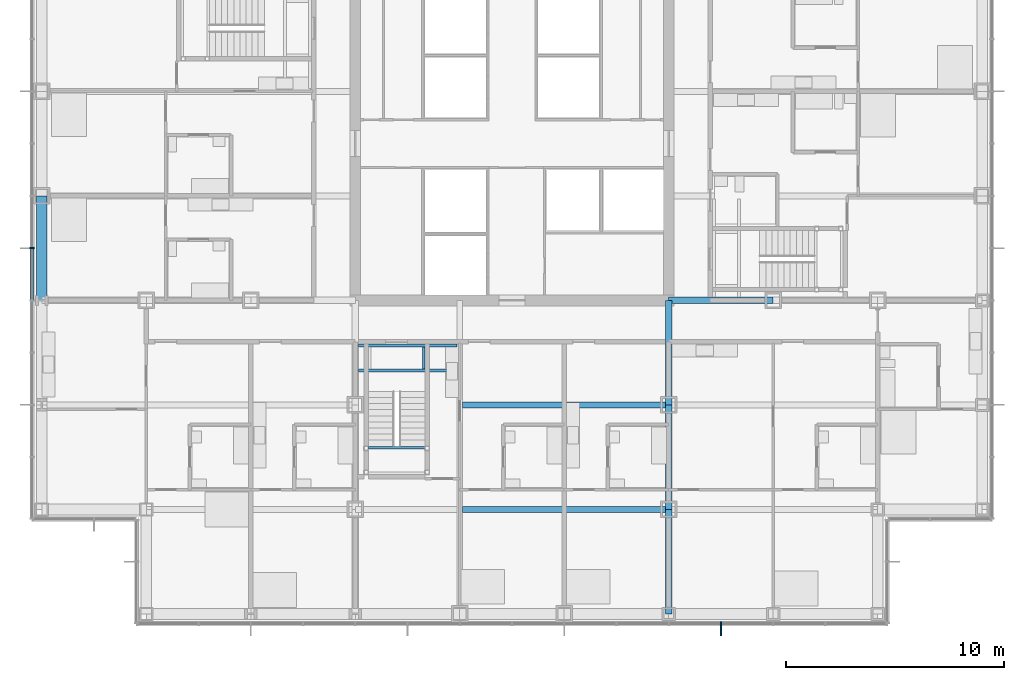
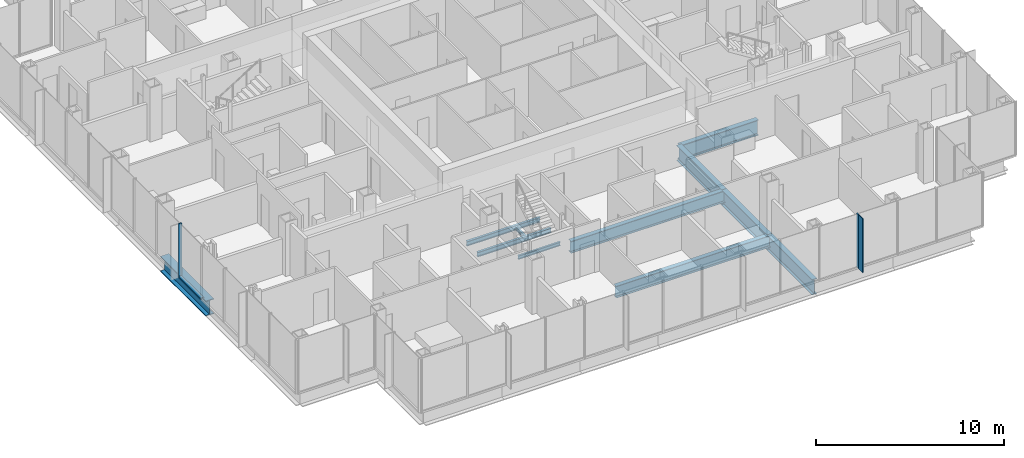
# One storey, part 7 of 21: 11 beams, 4 members, 2 elements without a shape of their own.
"""IFC4 building model written with IfcOpenShell, lengths in metres."""

from ifc_helpers import new_model, si_unit, direction, frame, origin, origin_2d, place, context, subcontext, project, spatial, rectangle, i_section, extrude, material, material_profile, profile_set, type_object, element, aggregate, save


model = new_model("IFC4")

# Units and contexts
model_context = context("Model", 3, precision=1e-05, world=origin(), true_north=direction((0.0, 1.0)))
body_context = subcontext(model_context, "Body", "Model", "MODEL_VIEW")
ifc_project = project(units=[si_unit("LENGTHUNIT", "METRE"), si_unit("AREAUNIT", "SQUARE_METRE"), si_unit("VOLUMEUNIT", "CUBIC_METRE"), si_unit("PLANEANGLEUNIT", "RADIAN"), si_unit("MASSUNIT", "GRAM", prefix="KILO")], contexts=[model_context])

# Site, building, storey
site_placement = place(None, origin())
site = spatial("IfcSite", under=ifc_project, at=site_placement, CompositionType="ELEMENT")
building_placement = place(site_placement, origin())
building = spatial("IfcBuilding", under=site, at=building_placement, Name="Kvirike Care Tower", CompositionType="ELEMENT")
storey_placement = place(building_placement, frame((0.0, 0.0, 34.0)))
storey = spatial("IfcBuildingStorey", under=building, at=storey_placement, Name="L08", CompositionType="ELEMENT", Elevation=34.0)

# Curtain wall, member
ifc_material_1 = material(Name="Anodised aluminium stick system", Category="aluminium")
curtain_wall_type = type_object("IfcCurtainWallType", Name="CW-A STICK CURTAIN WALL", PredefinedType="NOTDEFINED", material=ifc_material_1)
curtain_wall_1_placement = place(storey_placement, origin())
curtain_wall_1 = element("IfcCurtainWall", 1, at=curtain_wall_1_placement, inside=storey, type_object=curtain_wall_type, Name="Curtain wall L08 face 4", PredefinedType="NOTDEFINED")
ifc_material_2 = material(Name="Bronze anodised aluminium fin", Category="aluminium")
ifc_material_profile_1 = material_profile(ifc_material_2, rectangle(XDim=0.050048828125, YDim=0.449951171875, at=origin_2d()), Name="BRONZE FIN 450")
ifc_profile_set_1 = profile_set([ifc_material_profile_1], Name="Bronze anodised aluminium fin")
member_type_1 = type_object("IfcMemberType", Name="BRONZE FIN 450", PredefinedType="USERDEFINED", material=ifc_profile_set_1)
member_1_placement = place(storey_placement, frame((31.199951171875, 13.625, 0.0), z_axis=(0.0, 0.0, 1.0), x_axis=(1.0, 0.0, 0.0)))
member_1 = element("IfcMember", 2, at=member_1_placement, type_object=member_type_1, Name="Bronze fin L08 face 4.12", ObjectType="FIN", PredefinedType="USERDEFINED", context=body_context, shape_type="SweptSolid", body=[
    extrude(rectangle(XDim=0.050048828125, YDim=0.449951171875, at=origin_2d()), origin(), (0.0, 0.0, 1.0), 3.5),
])

curtain_wall_2_placement = place(storey_placement, origin())
curtain_wall_2 = element("IfcCurtainWall", 3, at=curtain_wall_2_placement, inside=storey, type_object=curtain_wall_type, Name="Curtain wall L08 face 1", PredefinedType="NOTDEFINED")
ifc_material_3 = material(Name="Bronze anodised aluminium mullion", Category="aluminium")
ifc_material_profile_2 = material_profile(ifc_material_3, rectangle(XDim=0.06494140625, YDim=0.199951171875, at=origin_2d()), Name="CW-A MULLION 65x200")
ifc_profile_set_2 = profile_set([ifc_material_profile_2], Name="Bronze anodised aluminium mullion")
member_type_2 = type_object("IfcMemberType", Name="CW-A MULLION 65x200", PredefinedType="MULLION", material=ifc_profile_set_2)
member_2_placement = place(storey_placement, frame((-0.449951171875, 31.199951171875, 0.0), z_axis=(0.0, 0.0, 1.0), x_axis=(0.0, -1.0, 0.0)))
member_2 = element("IfcMember", 4, at=member_2_placement, type_object=member_type_2, Name="CW-A mullion L08 face 1.10", PredefinedType="MULLION", context=body_context, shape_type="SweptSolid", body=[
    extrude(rectangle(XDim=0.06494140625, YDim=0.199951171875, at=origin_2d()), origin(), (0.0, 0.0, 1.0), 3.5),
])

# Member
member_3_placement = place(storey_placement, frame((31.199951171875, 13.949951171875, 0.0), z_axis=(0.0, 0.0, 1.0), x_axis=(1.0, 0.0, 0.0)))
member_3 = element("IfcMember", 5, at=member_3_placement, type_object=member_type_2, Name="CW-A mullion L08 face 4.12", PredefinedType="MULLION", context=body_context, shape_type="SweptSolid", body=[
    extrude(rectangle(XDim=0.06494140625, YDim=0.199951171875, at=origin_2d()), origin(), (0.0, 0.0, 1.0), 3.5),
])

aggregate(curtain_wall_1, [member_3, member_1])

ifc_material_4 = material(Name="Bronze anodised aluminium transom", Category="aluminium")
ifc_material_profile_3 = material_profile(ifc_material_4, rectangle(XDim=0.199951171875, YDim=0.10009765625, at=origin_2d()), Name="CW-A TRANSOM 200x100")
ifc_profile_set_3 = profile_set([ifc_material_profile_3], Name="Bronze anodised aluminium transom")
member_type_3 = type_object("IfcMemberType", Name="CW-A TRANSOM 200x100", PredefinedType="USERDEFINED", material=ifc_profile_set_3)
member_4_placement = place(storey_placement, frame((-0.449951171875, 31.16748046875, 0.050048828125), z_axis=(0.0, -1.0, 0.0), x_axis=(1.0, 0.0, 0.0)))
member_4 = element("IfcMember", 6, at=member_4_placement, type_object=member_type_3, Name="CW-A sill transom L08 face 1.10", ObjectType="TRANSOM", PredefinedType="USERDEFINED", context=body_context, shape_type="SweptSolid", body=[
    extrude(rectangle(XDim=0.199951171875, YDim=0.10009765625, at=origin_2d()), origin(), (0.0, 0.0, 1.0), 2.3349609375),
])

aggregate(curtain_wall_2, [member_2, member_4])

# Beams
ifc_material_5 = material(Name="Steel S355", Category="steel")
ifc_material_profile_4 = material_profile(ifc_material_5, i_section(OverallWidth=0.26806640625, OverallDepth=0.77001953125, WebThickness=0.015625, FlangeThickness=0.025390625, FilletRadius=0.01708984375, at=origin_2d()), Name="IPE 750x196")
ifc_profile_set_4 = profile_set([ifc_material_profile_4], Name="Steel S355")
beam_type_1 = type_object("IfcBeamType", Name="FLOOR BEAM IPE 750x196", PredefinedType="BEAM", material=ifc_profile_set_4)
for number, where, z_axis, x_axis, name in (
    (7, (19.333984375, 19.199951171875, -0.554931640625), (1.0, 0.0, 0.0), (0.0, 1.0, 0.0), "Floor Beam E7-E9 L08"),
    (8, (19.333984375, 24.0, -0.554931640625), (1.0, 0.0, 0.0), (0.0, 1.0, 0.0), "Floor Beam F7-F9 L08"),
):
    element("IfcBeam", number, at=place(storey_placement, frame(where, z_axis=z_axis, x_axis=x_axis)), inside=storey, type_object=beam_type_1, Name=name, PredefinedType="BEAM", context=body_context, shape_type="SweptSolid", body=[
        extrude(i_section(OverallWidth=0.26806640625, OverallDepth=0.77001953125, WebThickness=0.015625, FlangeThickness=0.025390625, FilletRadius=0.01708984375, at=origin_2d()), origin(), (0.0, 0.0, 1.0), 9.466064453125),
    ])
ifc_material_6 = material(Name="Steel S355", Category="steel")
ifc_material_profile_5 = material_profile(ifc_material_6, i_section(OverallWidth=0.300048828125, OverallDepth=1.0, WebThickness=0.01904296875, FlangeThickness=0.035888671875, FilletRadius=0.030029296875, at=origin_2d()), Name="HE 1000 B")
ifc_profile_set_5 = profile_set([ifc_material_profile_5], Name="Steel S355")
beam_type_2 = type_object("IfcBeamType", Name="FRAME BEAM HE 1000 B", PredefinedType="BEAM", material=ifc_profile_set_5)
for number, where, z_axis, x_axis, name in (
    (9, (28.800048828125, 28.800048828125, -0.669921875), (1.0, 0.0, 0.0), (0.0, 1.0, 0.0), "Frame Beam G9-G10 L08"),
    (10, (28.800048828125, 14.39990234375, -0.669921875), (0.0, 1.0, 0.0), (-1.0, 0.0, 0.0), "Frame Beam D9-E9 L08"),
    (11, (28.800048828125, 19.199951171875, -0.669921875), (0.0, 1.0, 0.0), (-1.0, 0.0, 0.0), "Frame Beam E9-F9 L08"),
    (12, (28.800048828125, 24.0, -0.669921875), (0.0, 1.0, 0.0), (-1.0, 0.0, 0.0), "Frame Beam F9-G9 L08"),
):
    element("IfcBeam", number, at=place(storey_placement, frame(where, z_axis=z_axis, x_axis=x_axis)), inside=storey, type_object=beam_type_2, Name=name, PredefinedType="BEAM", context=body_context, shape_type="SweptSolid", body=[
        extrude(i_section(OverallWidth=0.300048828125, OverallDepth=1.0, WebThickness=0.01904296875, FlangeThickness=0.035888671875, FilletRadius=0.030029296875, at=origin_2d()), origin(), (0.0, 0.0, 1.0), 4.800048828125),
    ])
ifc_material_7 = material(Name="Steel S355", Category="steel")
ifc_material_profile_6 = material_profile(ifc_material_7, i_section(OverallWidth=0.5, OverallDepth=1.0, WebThickness=0.030029296875, FlangeThickness=0.06005859375, at=origin_2d()), Name="PG 1000x500x30x60")
ifc_profile_set_6 = profile_set([ifc_material_profile_6], Name="Steel S355")
beam_type_3 = type_object("IfcBeamType", Name="SPANDREL PG 1000x500x30x60", PredefinedType="SPANDREL", material=ifc_profile_set_6)
beam_1_placement = place(storey_placement, frame((0.0, 28.800048828125, -0.669921875), z_axis=(0.0, 1.0, 0.0), x_axis=(-1.0, 0.0, 0.0)))
element("IfcBeam", 13, at=beam_1_placement, inside=storey, type_object=beam_type_3, Name="Spandrel G3-H3 L08", PredefinedType="SPANDREL", context=body_context, shape_type="SweptSolid", body=[
    extrude(i_section(OverallWidth=0.5, OverallDepth=1.0, WebThickness=0.030029296875, FlangeThickness=0.06005859375, at=origin_2d()), origin(), (0.0, 0.0, 1.0), 4.800048828125),
])
ifc_material_8 = material(Name="Steel S355", Category="steel")
ifc_material_profile_7 = material_profile(ifc_material_8, i_section(OverallWidth=0.1201171875, OverallDepth=0.239990234375, WebThickness=0.006103515625, FlangeThickness=0.009765625, FilletRadius=0.014892578125, at=origin_2d()), Name="IPE 240")
ifc_profile_set_7 = profile_set([ifc_material_profile_7], Name="Steel S355")
beam_type_4 = type_object("IfcBeamType", Name="STAIR LANDING BEAM IPE 240", PredefinedType="BEAM", material=ifc_profile_set_7)
beam_2_placement = place(storey_placement, frame((15.0, 22.0400390625, 1.429931640625), z_axis=(1.0, 0.0, 0.0), x_axis=(0.0, 1.0, 0.0)))
element("IfcBeam", 14, at=beam_2_placement, inside=storey, type_object=beam_type_4, Name="Stair 5 landing beam front L08", PredefinedType="BEAM", context=body_context, shape_type="SweptSolid", body=[
    extrude(i_section(OverallWidth=0.1201171875, OverallDepth=0.239990234375, WebThickness=0.006103515625, FlangeThickness=0.009765625, FilletRadius=0.014892578125, at=origin_2d()), origin(), (0.0, 0.0, 1.0), 2.60009765625),
])
beam_3_placement = place(storey_placement, frame((17.5400390625, 25.64990234375, -0.320068359375), z_axis=(0.0, 1.0, 0.0), x_axis=(-1.0, 0.0, 0.0)))
element("IfcBeam", 15, at=beam_3_placement, inside=storey, type_object=beam_type_4, Name="Stair 5 landing edge beam 2 L08", PredefinedType="BEAM", context=body_context, shape_type="SweptSolid", body=[
    extrude(i_section(OverallWidth=0.1201171875, OverallDepth=0.239990234375, WebThickness=0.006103515625, FlangeThickness=0.009765625, FilletRadius=0.014892578125, at=origin_2d()), origin(), (0.0, 0.0, 1.0), 1.0),
])
ifc_material_9 = material(Name="Steel S355", Category="steel")
ifc_material_profile_8 = material_profile(ifc_material_9, i_section(OverallWidth=0.14990234375, OverallDepth=0.300048828125, WebThickness=0.007080078125, FlangeThickness=0.0107421875, FilletRadius=0.014892578125, at=origin_2d()), Name="IPE 300")
ifc_profile_set_8 = profile_set([ifc_material_profile_8], Name="Steel S355")
beam_type_5 = type_object("IfcBeamType", Name="STAIR TRIMMER IPE 300", PredefinedType="BEAM", material=ifc_profile_set_8)
for number, where, z_axis, x_axis, name in (
    (16, (14.550048828125, 25.574951171875, -0.35009765625), (1.0, 0.0, 0.0), (0.0, 1.0, 0.0), "Stair 5 trimmer 1 L08"),
    (17, (14.550048828125, 26.72509765625, -0.35009765625), (1.0, 0.0, 0.0), (0.0, 1.0, 0.0), "Stair 5 trimmer 2 L08"),
):
    element("IfcBeam", number, at=place(storey_placement, frame(where, z_axis=z_axis, x_axis=x_axis)), inside=storey, type_object=beam_type_5, Name=name, PredefinedType="BEAM", context=body_context, shape_type="SweptSolid", body=[
        extrude(i_section(OverallWidth=0.14990234375, OverallDepth=0.300048828125, WebThickness=0.007080078125, FlangeThickness=0.0107421875, FilletRadius=0.014892578125, at=origin_2d()), origin(), (0.0, 0.0, 1.0), 4.515869140625),
    ])

save(model, "model.ifc")
